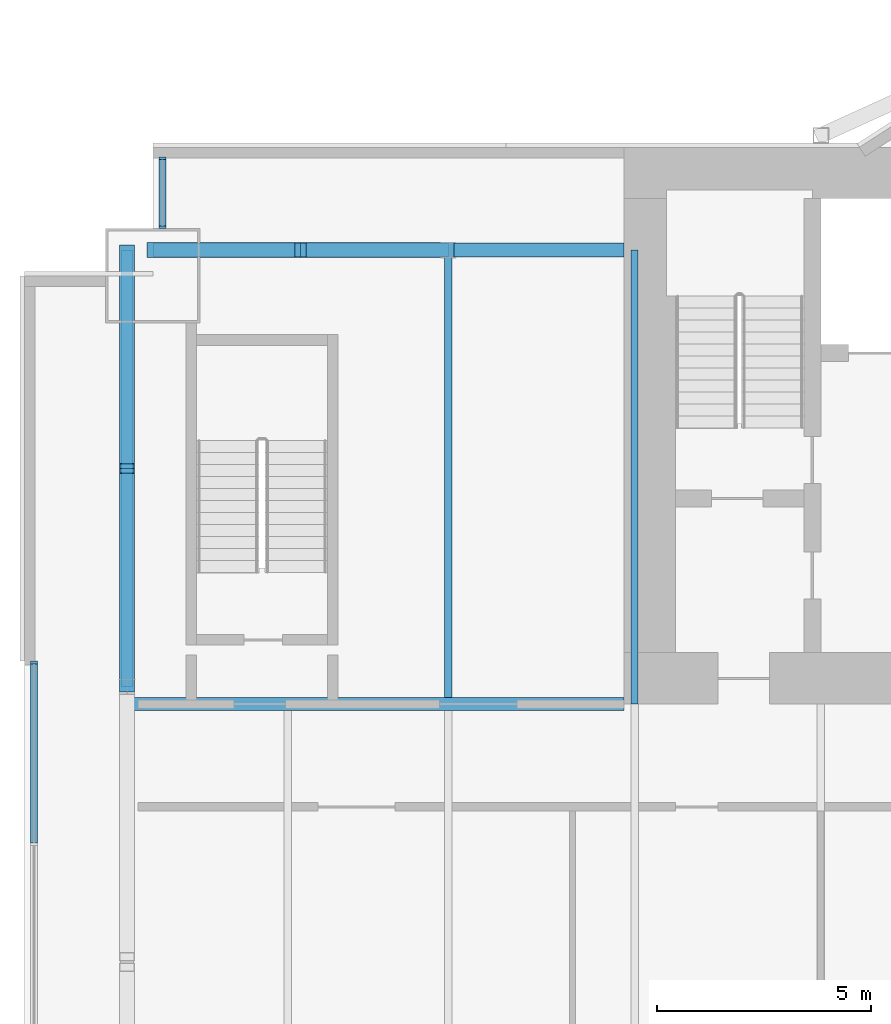
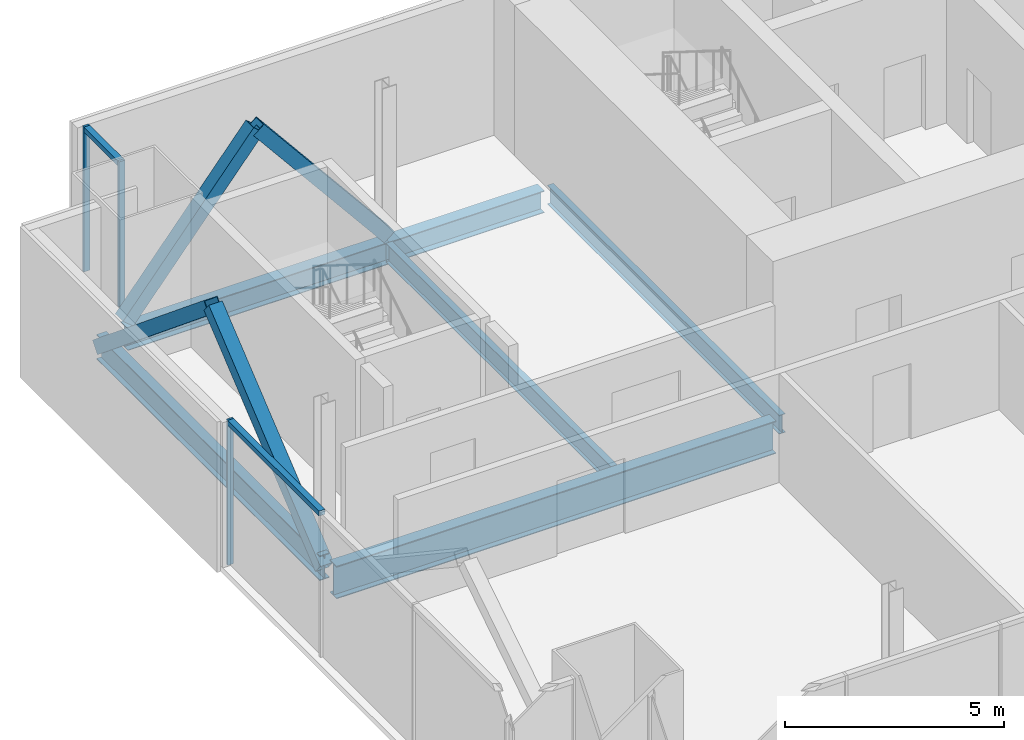
# One storey, part 7 of 19: 9 members, 6 beams, 2 elements without a shape of their own.
"""IFC4 building model written with IfcOpenShell, lengths in metres."""

from ifc_helpers import new_model, si_unit, direction, frame, origin, origin_2d, place, context, subcontext, project, spatial, rectangle, hollow_rectangle, i_section, extrude, material, material_profile, profile_set, type_object, element, aggregate, save


model = new_model("IFC4")

# Units and contexts
model_context = context("Model", 3, precision=1e-05, world=origin(), true_north=direction((0.0, 1.0)))
body_context = subcontext(model_context, "Body", "Model", "MODEL_VIEW")
ifc_project = project(units=[si_unit("LENGTHUNIT", "METRE"), si_unit("AREAUNIT", "SQUARE_METRE"), si_unit("VOLUMEUNIT", "CUBIC_METRE"), si_unit("PLANEANGLEUNIT", "RADIAN"), si_unit("MASSUNIT", "GRAM", prefix="KILO")], contexts=[model_context])

# Site, building, storey
site_placement = place(None, origin())
site = spatial("IfcSite", under=ifc_project, at=site_placement, CompositionType="ELEMENT")
building_placement = place(site_placement, origin())
building = spatial("IfcBuilding", under=site, at=building_placement, Name="Bicima Exchange Tower", CompositionType="ELEMENT")
storey_placement = place(building_placement, frame((0.0, 0.0, 279.199951171875)))
storey = spatial("IfcBuildingStorey", under=building, at=storey_placement, Name="L63", CompositionType="ELEMENT", Elevation=279.199951171875)

# Beam
ifc_material_1 = material(Name="Steel ASTM A992 Gr 50", Category="steel")
ifc_material_profile_1 = material_profile(ifc_material_1, i_section(OverallWidth=0.3046875, OverallDepth=0.911865234375, WebThickness=0.015869140625, FlangeThickness=0.02392578125, at=origin_2d()))
ifc_profile_set_1 = profile_set([ifc_material_profile_1], Name="Steel ASTM A992 Gr 50")
beam_type_1 = type_object("IfcBeamType", Name="Core-line girder W36x150", PredefinedType="BEAM", material=ifc_profile_set_1)
beam_1_placement = place(storey_placement, frame((-22.0, -13.0, -0.60595703125), z_axis=(-1.0, 0.0, 0.0), x_axis=(0.0, -1.0, 0.0)))
element("IfcBeam", 1, at=beam_1_placement, inside=storey, type_object=beam_type_1, Name="Core-line girder", PredefinedType="BEAM", context=body_context, shape_type="SweptSolid", body=[
    extrude(i_section(OverallWidth=0.3046875, OverallDepth=0.911865234375, WebThickness=0.015869140625, FlangeThickness=0.02392578125, at=origin_2d()), origin(), (0.0, 0.0, 1.0), 11.60009765625),
])

# Curtain wall, members
ifc_material_2 = material(Name="Anodised bronze aluminium", Category="aluminium")
curtain_wall_type_1 = type_object("IfcCurtainWallType", Name="End face glass wall", PredefinedType="NOTDEFINED", material=ifc_material_2)
curtain_wall_1_placement = place(storey_placement, origin())
curtain_wall_1 = element("IfcCurtainWall", 2, at=curtain_wall_1_placement, inside=storey, type_object=curtain_wall_type_1, Name="End face glass wall L63 run 2", PredefinedType="NOTDEFINED")
ifc_material_profile_2 = material_profile(ifc_material_2, rectangle(XDim=0.159912109375, YDim=0.06005859375, at=origin_2d()))
ifc_profile_set_2 = profile_set([ifc_material_profile_2], Name="Anodised bronze aluminium")
member_type_1 = type_object("IfcMemberType", Name="End face glass wall mullion 60 x 160", PredefinedType="MULLION", material=ifc_profile_set_2)
member_1_placement = place(storey_placement, frame((-35.77001953125, -12.030029296875, 0.0), z_axis=(0.0, 0.0, 1.0), x_axis=(1.0, 0.0, 0.0)))
member_1 = element("IfcMember", 3, at=member_1_placement, type_object=member_type_1, Name="End face glass wall mullion 1", PredefinedType="MULLION", context=body_context, shape_type="SweptSolid", body=[
    extrude(rectangle(XDim=0.159912109375, YDim=0.06005859375, at=origin_2d()), origin(), (0.0, 0.0, 1.0), 4.050048828125),
])
ifc_material_profile_3 = material_profile(ifc_material_2, rectangle(XDim=0.159912109375, YDim=0.139892578125, at=origin_2d()))
ifc_profile_set_3 = profile_set([ifc_material_profile_3], Name="Anodised bronze aluminium")
member_type_2 = type_object("IfcMemberType", Name="End face glass wall transom 140 x 160", PredefinedType="USERDEFINED", material=ifc_profile_set_3)
member_2_placement = place(storey_placement, frame((-35.77001953125, -12.06005859375, 3.97998046875), z_axis=(0.0, -1.0, 0.0), x_axis=(1.0, 0.0, 0.0)))
member_2 = element("IfcMember", 4, at=member_2_placement, type_object=member_type_2, Name="End face glass wall transom 1.1", ObjectType="TRANSOM", PredefinedType="USERDEFINED", context=body_context, shape_type="SweptSolid", body=[
    extrude(rectangle(XDim=0.159912109375, YDim=0.139892578125, at=origin_2d()), origin(), (0.0, 0.0, 1.0), 4.1806640625),
])
aggregate(curtain_wall_1, [member_1, member_2])

# Beams
ifc_material_profile_4 = material_profile(ifc_material_1, i_section(OverallWidth=0.256591796875, OverallDepth=0.693359375, WebThickness=0.014404296875, FlangeThickness=0.023681640625, at=origin_2d()))
ifc_profile_set_4 = profile_set([ifc_material_profile_4], Name="Steel ASTM A992 Gr 50")
beam_type_2 = type_object("IfcBeamType", Name="End girder W27x114", PredefinedType="BEAM", material=ifc_profile_set_4)
beam_2_placement = place(storey_placement, frame((-33.60009765625, -2.39990234375, -0.49658203125), z_axis=(0.0, -1.0, 0.0), x_axis=(1.0, 0.0, 0.0)))
element("IfcBeam", 5, at=beam_2_placement, inside=storey, type_object=beam_type_2, Name="End girder", PredefinedType="BEAM", context=body_context, shape_type="SweptSolid", body=[
    extrude(i_section(OverallWidth=0.256591796875, OverallDepth=0.693359375, WebThickness=0.014404296875, FlangeThickness=0.023681640625, at=origin_2d()), origin(), (0.0, 0.0, 1.0), 10.2001953125),
])
ifc_material_profile_5 = material_profile(ifc_material_1, i_section(OverallWidth=0.165771484375, OverallDepth=0.5283203125, WebThickness=0.009765625, FlangeThickness=0.013671875, at=origin_2d()))
ifc_profile_set_5 = profile_set([ifc_material_profile_5], Name="Steel ASTM A992 Gr 50")
beam_type_3 = type_object("IfcBeamType", Name="Floor beam W21x50", PredefinedType="JOIST", material=ifc_profile_set_5)
beam_3_placement = place(storey_placement, frame((-26.10009765625, -2.5625, -0.4140625), z_axis=(0.0, -1.0, 0.0), x_axis=(1.0, 0.0, 0.0)))
element("IfcBeam", 6, at=beam_3_placement, inside=storey, type_object=beam_type_3, Name="Floor beam", PredefinedType="JOIST", context=body_context, shape_type="SweptSolid", body=[
    extrude(i_section(OverallWidth=0.165771484375, OverallDepth=0.5283203125, WebThickness=0.009765625, FlangeThickness=0.013671875, at=origin_2d()), origin(), (0.0, 0.0, 1.0), 10.28515625),
])
beam_4_placement = place(storey_placement, frame((-21.75, -2.39990234375, -0.4140625), z_axis=(0.0, -1.0, 0.0), x_axis=(1.0, 0.0, 0.0)))
element("IfcBeam", 7, at=beam_4_placement, inside=storey, type_object=beam_type_3, Name="Floor beam", PredefinedType="JOIST", context=body_context, shape_type="SweptSolid", body=[
    extrude(i_section(OverallWidth=0.165771484375, OverallDepth=0.5283203125, WebThickness=0.009765625, FlangeThickness=0.013671875, at=origin_2d()), origin(), (0.0, 0.0, 1.0), 10.60009765625),
])

# Curtain wall, members
curtain_wall_type_2 = type_object("IfcCurtainWallType", Name="Front glass wall", PredefinedType="NOTDEFINED", material=ifc_material_2)
curtain_wall_2_placement = place(storey_placement, origin())
curtain_wall_2 = element("IfcCurtainWall", 8, at=curtain_wall_2_placement, inside=storey, type_object=curtain_wall_type_2, Name="Front glass wall L63 run 1", PredefinedType="NOTDEFINED")
member_type_3 = type_object("IfcMemberType", Name="Front glass wall mullion 60 x 160", PredefinedType="MULLION", material=ifc_profile_set_2)
member_3_placement = place(storey_placement, frame((-32.77001953125, -0.260009765625, 0.0), z_axis=(0.0, 0.0, 1.0), x_axis=(1.0, 0.0, 0.0)))
member_3 = element("IfcMember", 9, at=member_3_placement, type_object=member_type_3, Name="Front glass wall mullion 1", PredefinedType="MULLION", context=body_context, shape_type="SweptSolid", body=[
    extrude(rectangle(XDim=0.159912109375, YDim=0.06005859375, at=origin_2d()), origin(), (0.0, 0.0, 1.0), 4.050048828125),
])
member_4_placement = place(storey_placement, frame((-32.77001953125, -1.8701171875, 0.0), z_axis=(0.0, 0.0, 1.0), x_axis=(1.0, 0.0, 0.0)))
member_4 = element("IfcMember", 10, at=member_4_placement, type_object=member_type_3, Name="Front glass wall mullion 2", PredefinedType="MULLION", context=body_context, shape_type="SweptSolid", body=[
    extrude(rectangle(XDim=0.159912109375, YDim=0.06005859375, at=origin_2d()), origin(), (0.0, 0.0, 1.0), 4.050048828125),
])
member_type_4 = type_object("IfcMemberType", Name="Front glass wall transom 140 x 160", PredefinedType="USERDEFINED", material=ifc_profile_set_3)
member_5_placement = place(storey_placement, frame((-32.77001953125, -0.2900390625, 3.97998046875), z_axis=(0.0, -1.0, 0.0), x_axis=(1.0, 0.0, 0.0)))
member_5 = element("IfcMember", 11, at=member_5_placement, type_object=member_type_4, Name="Front glass wall transom 1.1", ObjectType="TRANSOM", PredefinedType="USERDEFINED", context=body_context, shape_type="SweptSolid", body=[
    extrude(rectangle(XDim=0.159912109375, YDim=0.139892578125, at=origin_2d()), origin(), (0.0, 0.0, 1.0), 1.550048828125),
])
aggregate(curtain_wall_2, [member_3, member_4, member_5])

# Members
ifc_material_3 = material(Name="Steel ASTM A572 Gr 50", Category="steel")
ifc_material_profile_6 = material_profile(ifc_material_3, hollow_rectangle(XDim=0.355712890625, YDim=0.355712890625, WallThickness=0.0146484375, at=origin_2d()))
ifc_profile_set_6 = profile_set([ifc_material_profile_6], Name="Steel ASTM A572 Gr 50")
member_type_5 = type_object("IfcMemberType", Name="Mega brace HSS14x14x5/8", PredefinedType="BRACE", material=ifc_profile_set_6)
for number, where, z_axis, x_axis, name in (
    (12, (-33.0, -2.39990234375, 0.0), (0.63473846547, 0.0, 0.772727041362), (0.0, 1.0, 0.0), "Mega brace rear"),
    (13, (-26.10009765625, -2.39990234375, 0.0), (-0.63473846547, 0.0, 0.772727041362), (0.0, -1.0, 0.0), "Mega brace rear"),
):
    element("IfcMember", number, at=place(storey_placement, frame(where, z_axis=z_axis, x_axis=x_axis)), inside=storey, type_object=member_type_5, Name=name, PredefinedType="BRACE", context=body_context, shape_type="SweptSolid", body=[
        extrude(hollow_rectangle(XDim=0.355712890625, YDim=0.355712890625, WallThickness=0.0146484375, at=origin_2d()), origin(), (0.0, 0.0, 1.0), 5.435302734375),
    ])
for number, where, z_axis, x_axis, name in (
    (14, (-33.60009765625, -2.39990234375, -0.49658203125), (0.0, -0.771939835586, 0.635695595576), (1.0, 0.0, 0.0), "Mega brace west end"),
    (15, (-33.60009765625, -12.60009765625, -0.49658203125), (0.0, 0.771939835586, 0.635695595576), (-1.0, 0.0, 0.0), "Mega brace west end"),
):
    element("IfcMember", number, at=place(storey_placement, frame(where, z_axis=z_axis, x_axis=x_axis)), inside=storey, type_object=member_type_5, Name=name, PredefinedType="BRACE", context=body_context, shape_type="SweptSolid", body=[
        extrude(hollow_rectangle(XDim=0.355712890625, YDim=0.355712890625, WallThickness=0.0146484375, at=origin_2d()), origin(), (0.0, 0.0, 1.0), 6.60693359375),
    ])

# Beams
ifc_material_profile_7 = material_profile(ifc_material_1, i_section(OverallWidth=0.3251953125, OverallDepth=0.612060546875, WebThickness=0.0126953125, FlangeThickness=0.01904296875, at=origin_2d()))
ifc_profile_set_7 = profile_set([ifc_material_profile_7], Name="Steel ASTM A992 Gr 50")
beam_type_4 = type_object("IfcBeamType", Name="Rear girder W24x104", PredefinedType="BEAM", material=ifc_profile_set_7)
beam_5_placement = place(storey_placement, frame((-22.0, -2.39990234375, -0.4560546875), z_axis=(-1.0, 0.0, 0.0), x_axis=(0.0, -1.0, 0.0)))
element("IfcBeam", 16, at=beam_5_placement, inside=storey, type_object=beam_type_4, Name="Rear girder", PredefinedType="BEAM", context=body_context, shape_type="SweptSolid", body=[
    extrude(i_section(OverallWidth=0.3251953125, OverallDepth=0.612060546875, WebThickness=0.0126953125, FlangeThickness=0.01904296875, at=origin_2d()), origin(), (0.0, 0.0, 1.0), 4.10009765625),
])
beam_6_placement = place(storey_placement, frame((-26.10009765625, -2.39990234375, -0.4560546875), z_axis=(-1.0, 0.0, 0.0), x_axis=(0.0, -1.0, 0.0)))
element("IfcBeam", 17, at=beam_6_placement, inside=storey, type_object=beam_type_4, Name="Rear girder", PredefinedType="BEAM", context=body_context, shape_type="SweptSolid", body=[
    extrude(i_section(OverallWidth=0.3251953125, OverallDepth=0.612060546875, WebThickness=0.0126953125, FlangeThickness=0.01904296875, at=origin_2d()), origin(), (0.0, 0.0, 1.0), 6.89990234375),
])

save(model, "model.ifc")
